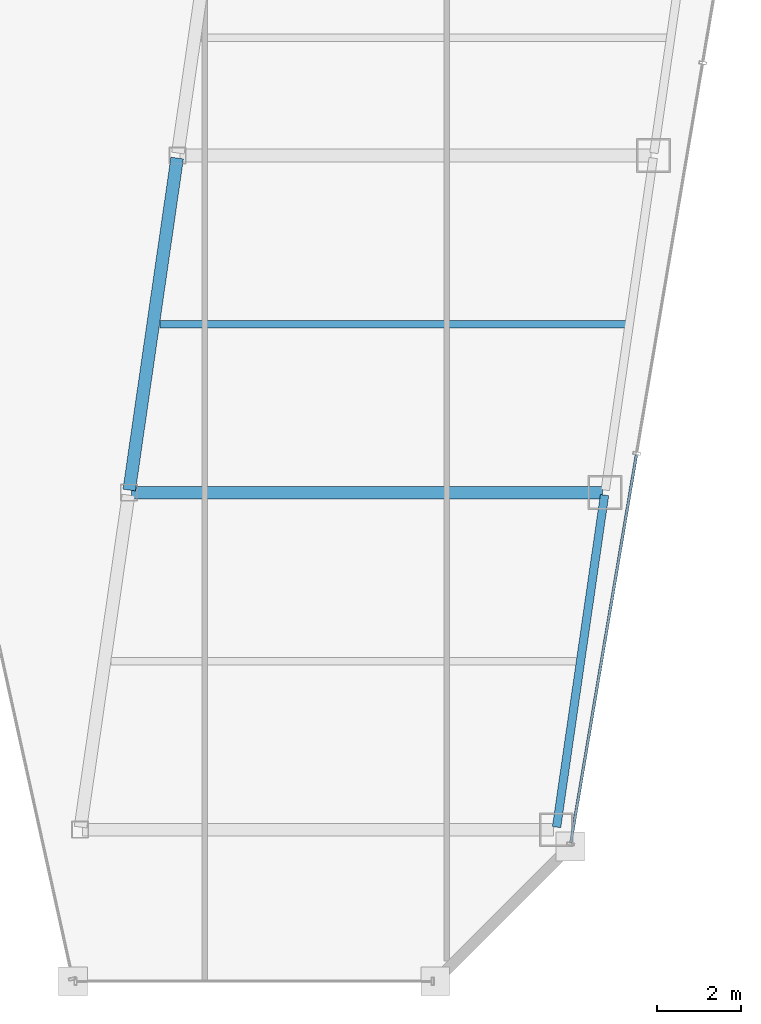
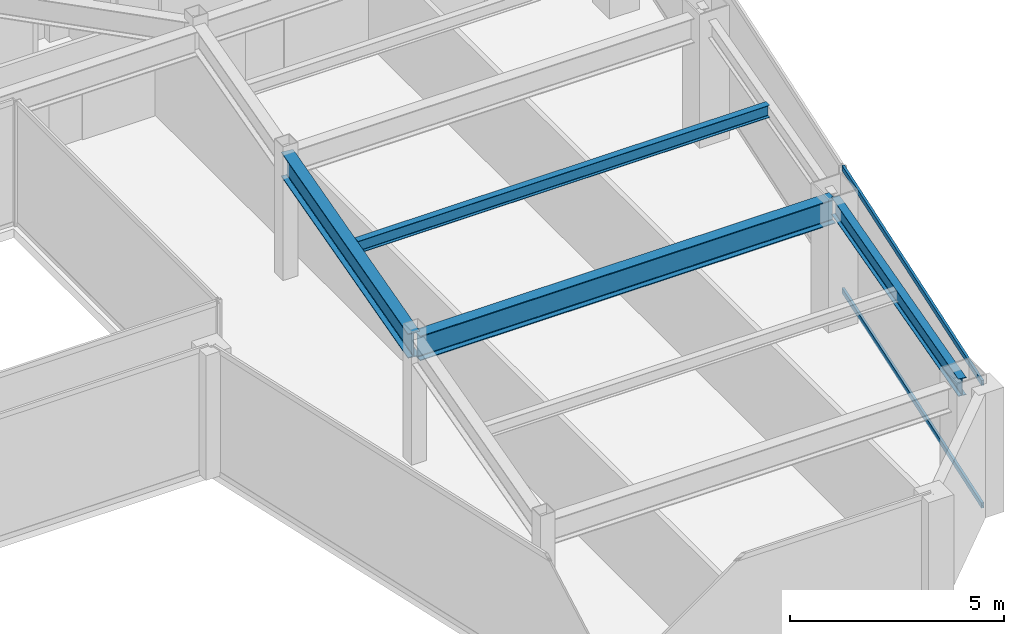
# One storey, part 19 of 36: 4 beams, 2 members, 1 element without a shape of its own.
"""IFC4 building model written with IfcOpenShell, lengths in metres."""

from ifc_helpers import new_model, si_unit, direction, frame, origin, origin_2d, place, context, subcontext, project, spatial, hollow_rectangle, i_section, extrude, material, material_profile, profile_set, type_object, element, aggregate, save


model = new_model("IFC4")

# Units and contexts
model_context = context("Model", 3, precision=1e-05, world=origin(), true_north=direction((0.0, 1.0)))
body_context = subcontext(model_context, "Body", "Model", "MODEL_VIEW")
ifc_project = project(units=[si_unit("LENGTHUNIT", "METRE"), si_unit("AREAUNIT", "SQUARE_METRE"), si_unit("VOLUMEUNIT", "CUBIC_METRE"), si_unit("PLANEANGLEUNIT", "RADIAN"), si_unit("MASSUNIT", "GRAM", prefix="KILO")], contexts=[model_context])

# Site, building, storey
site_placement = place(None, origin())
site = spatial("IfcSite", under=ifc_project, at=site_placement, CompositionType="ELEMENT")
building_placement = place(site_placement, origin())
building = spatial("IfcBuilding", under=site, at=building_placement, Name="Saevonmaru Cultural Tower", CompositionType="ELEMENT")
storey_placement = place(building_placement, frame((0.0, 0.0, 182.800048828125)))
storey = spatial("IfcBuildingStorey", under=building, at=storey_placement, Name="L41", CompositionType="ELEMENT", Elevation=182.800048828125)

# Beams
ifc_material_1 = material(Name="Steel SM355", Category="steel")
ifc_material_profile_1 = material_profile(ifc_material_1, i_section(OverallWidth=0.300048828125, OverallDepth=0.699951171875, WebThickness=0.012939453125, FlangeThickness=0.02392578125, FilletRadius=0.02587890625, at=origin_2d()), Name="H-700x300x13x24")
ifc_profile_set_1 = profile_set([ifc_material_profile_1], Name="Steel SM355")
beam_type_1 = type_object("IfcBeamType", Name="BM-G-H700", PredefinedType="BEAM", material=ifc_profile_set_1)
beam_1_placement = place(storey_placement, frame((39.236572265625, 24.059326171875, 3.199951171875), z_axis=(0.142902032203, 0.989736838353, 0.0), x_axis=(-0.989736838353, 0.142902032203, 0.0)))
element("IfcBeam", 1, at=beam_1_placement, inside=storey, type_object=beam_type_1, Name="L41 East Atrium Girder 2", PredefinedType="BEAM", context=body_context, shape_type="SweptSolid", body=[
    extrude(i_section(OverallWidth=0.300048828125, OverallDepth=0.699951171875, WebThickness=0.012939453125, FlangeThickness=0.02392578125, FilletRadius=0.02587890625, at=origin_2d()), origin(), (0.0, 0.0, 1.0), 7.963134765625),
])
beam_2_placement = place(storey_placement, frame((39.2880859375, 24.0, 3.199951171875), z_axis=(1.0, 0.0, 0.0), x_axis=(0.0, 1.0, 0.0)))
element("IfcBeam", 2, at=beam_2_placement, inside=storey, type_object=beam_type_1, Name="L41 East Wing Transverse Girder 2", PredefinedType="BEAM", context=body_context, shape_type="SweptSolid", body=[
    extrude(i_section(OverallWidth=0.300048828125, OverallDepth=0.699951171875, WebThickness=0.012939453125, FlangeThickness=0.02392578125, FilletRadius=0.02587890625, at=origin_2d()), origin(), (0.0, 0.0, 1.0), 11.179931640625),
])
ifc_material_profile_2 = material_profile(ifc_material_1, i_section(OverallWidth=0.175048828125, OverallDepth=0.35009765625, WebThickness=0.007080078125, FlangeThickness=0.010986328125, FilletRadius=0.012939453125, at=origin_2d()), Name="H-350x175x7x11")
ifc_profile_set_2 = profile_set([ifc_material_profile_2], Name="Steel SM355")
beam_type_2 = type_object("IfcBeamType", Name="BM-J-H350", PredefinedType="JOIST", material=ifc_profile_set_2)
beam_3_placement = place(storey_placement, frame((39.96337890625, 28.0, 3.375), z_axis=(1.0, 0.0, 0.0), x_axis=(0.0, 1.0, 0.0)))
element("IfcBeam", 3, at=beam_3_placement, inside=storey, type_object=beam_type_2, Name="L41 East Wing Floor Joist 2", PredefinedType="JOIST", context=body_context, shape_type="SweptSolid", body=[
    extrude(i_section(OverallWidth=0.175048828125, OverallDepth=0.35009765625, WebThickness=0.007080078125, FlangeThickness=0.010986328125, FilletRadius=0.012939453125, at=origin_2d()), origin(), (0.0, 0.0, 1.0), 11.08203125),
])
ifc_material_profile_3 = material_profile(ifc_material_1, i_section(OverallWidth=0.199951171875, OverallDepth=0.5, WebThickness=0.010009765625, FlangeThickness=0.01611328125, FilletRadius=0.02001953125, at=origin_2d()), Name="H-500x200x10x16")
ifc_profile_set_3 = profile_set([ifc_material_profile_3], Name="Steel SM355")
beam_type_3 = type_object("IfcBeamType", Name="BM-SP-H500", PredefinedType="SPANDREL", material=ifc_profile_set_3)
beam_4_placement = place(storey_placement, frame((49.380615234375, 16.059326171875, 3.300048828125), z_axis=(0.142992129437, 0.989723825579, 0.0), x_axis=(-0.989723825579, 0.142992129437, 0.0)))
element("IfcBeam", 4, at=beam_4_placement, inside=storey, type_object=beam_type_3, Name="L41 East Splayed Spandrel 1", PredefinedType="SPANDREL", context=body_context, shape_type="SweptSolid", body=[
    extrude(i_section(OverallWidth=0.199951171875, OverallDepth=0.5, WebThickness=0.010009765625, FlangeThickness=0.01611328125, FilletRadius=0.02001953125, at=origin_2d()), origin(), (0.0, 0.0, 1.0), 7.963134765625),
])

# Curtain wall, members
ifc_material_2 = material(Name="Satin Bronze Anodised Aluminium", Category="aluminium")
curtain_wall_type = type_object("IfcCurtainWallType", Name="CW-TYP-B", PredefinedType="NOTDEFINED", material=ifc_material_2)
curtain_wall_placement = place(storey_placement, origin())
curtain_wall = element("IfcCurtainWall", 5, at=curtain_wall_placement, inside=storey, type_object=curtain_wall_type, Name="L41 Unitised Curtain Wall E8", PredefinedType="NOTDEFINED")
ifc_material_profile_4 = material_profile(ifc_material_2, hollow_rectangle(XDim=0.06494140625, YDim=0.14990234375, WallThickness=0.00390625, at=origin_2d()), Name="ALU-TRAN-150x65x4")
ifc_profile_set_4 = profile_set([ifc_material_profile_4], Name="Satin Bronze Anodised Aluminium")
member_type = type_object("IfcMemberType", Name="TR-CW-150x65", PredefinedType="USERDEFINED", material=ifc_profile_set_4)
member_1_placement = place(storey_placement, frame((49.717529296875, 15.691162109375, 0.032470703125), z_axis=(0.166921263871, 0.985970228591, 0.0), x_axis=(-0.985970228591, 0.166921263871, 0.0)))
member_1 = element("IfcMember", 6, at=member_1_placement, type_object=member_type, Name="CW-TW-L41-E8 transom 1.1", ObjectType="TRANSOM", PredefinedType="USERDEFINED", context=body_context, shape_type="SweptSolid", body=[
    extrude(hollow_rectangle(XDim=0.06494140625, YDim=0.14990234375, WallThickness=0.00390625, at=origin_2d()), origin(), (0.0, 0.0, 1.0), 9.33740234375),
])
member_2_placement = place(storey_placement, frame((49.717529296875, 15.691162109375, 3.517333984375), z_axis=(0.166921263871, 0.985970228591, 0.0), x_axis=(-0.985970228591, 0.166921263871, 0.0)))
member_2 = element("IfcMember", 7, at=member_2_placement, type_object=member_type, Name="CW-TW-L41-E8 transom 1.2", ObjectType="TRANSOM", PredefinedType="USERDEFINED", context=body_context, shape_type="SweptSolid", body=[
    extrude(hollow_rectangle(XDim=0.06494140625, YDim=0.14990234375, WallThickness=0.00390625, at=origin_2d()), origin(), (0.0, 0.0, 1.0), 9.33740234375),
])
aggregate(curtain_wall, [member_1, member_2])

save(model, "model.ifc")
